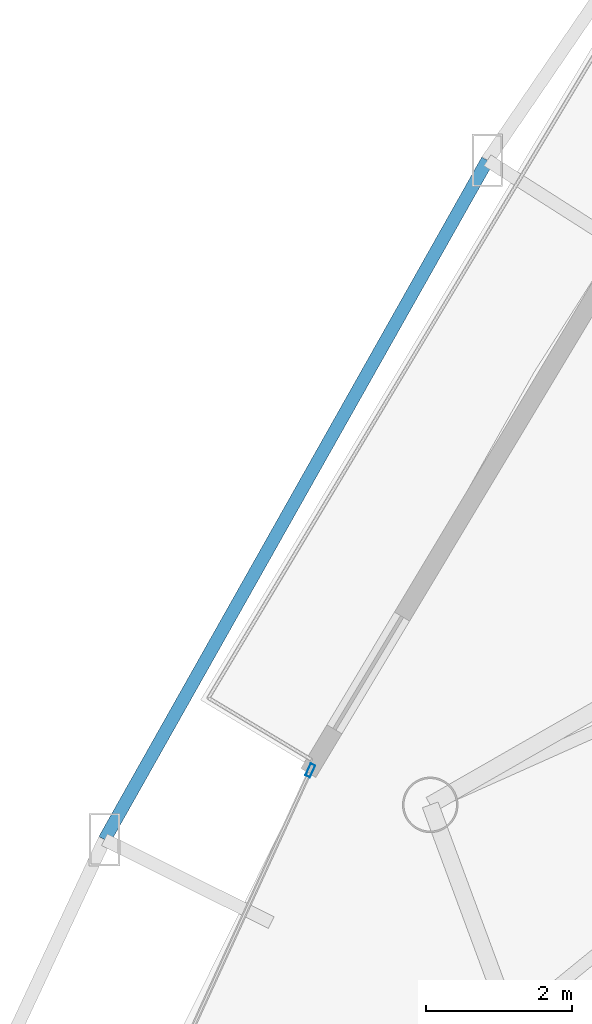
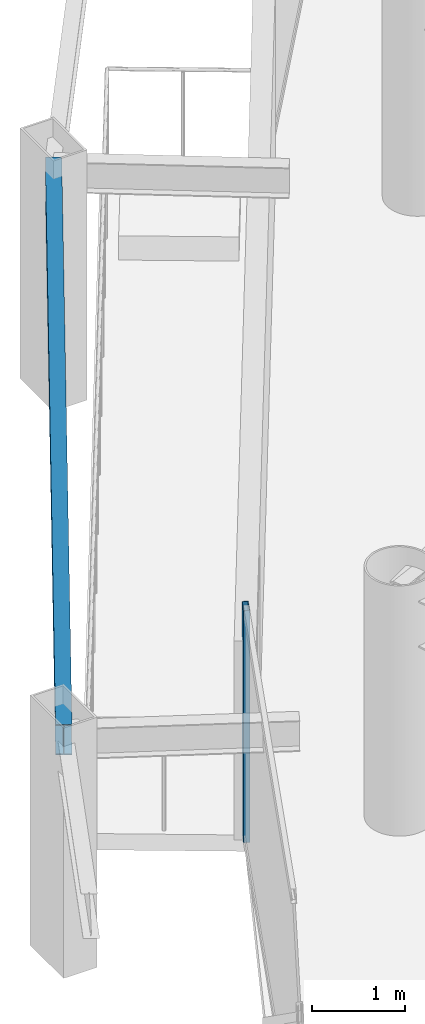
# One storey, part 10 of 34: 1 beam, 1 member, 1 element without a shape of its own.
"""IFC4 building model written with IfcOpenShell, lengths in metres."""

from ifc_helpers import new_model, si_unit, direction, frame, origin, origin_2d, place, context, subcontext, project, spatial, hollow_rectangle, i_section, extrude, material, layer, layer_set, material_profile, profile_set, type_object, element, aggregate, save


model = new_model("IFC4")

# Units and contexts
model_context = context("Model", 3, precision=1e-05, world=origin(), true_north=direction((0.0, 1.0)))
body_context = subcontext(model_context, "Body", "Model", "MODEL_VIEW")
ifc_project = project(units=[si_unit("LENGTHUNIT", "METRE"), si_unit("AREAUNIT", "SQUARE_METRE"), si_unit("VOLUMEUNIT", "CUBIC_METRE"), si_unit("PLANEANGLEUNIT", "RADIAN"), si_unit("MASSUNIT", "GRAM", prefix="KILO")], contexts=[model_context])

# Site, building, storey
site_placement = place(None, origin())
site = spatial("IfcSite", under=ifc_project, at=site_placement, CompositionType="ELEMENT")
building_placement = place(site_placement, origin())
building = spatial("IfcBuilding", under=site, at=building_placement, Name="Orvanel Arch Residences", CompositionType="ELEMENT")
storey_placement = place(building_placement, frame((0.0, 0.0, 64.25)))
storey = spatial("IfcBuildingStorey", under=building, at=storey_placement, Name="L17", CompositionType="ELEMENT", Elevation=64.25)

# Curtain wall, member
ifc_material_1 = material(Name="Bronze-anodised aluminium AA6063-T6", Category="aluminium")
ifc_layer = layer(ifc_material_1, 0.179931640625)
ifc_layer_set = layer_set([ifc_layer], Name="Bronze-anodised aluminium AA6063-T6")
curtain_wall_type = type_object("IfcCurtainWallType", Name="CW2-LOW-SYS", PredefinedType="NOTDEFINED", material=ifc_layer_set)
curtain_wall_placement = place(storey_placement, origin())
curtain_wall = element("IfcCurtainWall", 1, at=curtain_wall_placement, inside=storey, type_object=curtain_wall_type, Name="L17 CW2-LOW-SYS Unitised Curtain Wall", PredefinedType="NOTDEFINED")
ifc_material_profile_1 = material_profile(ifc_material_1, hollow_rectangle(XDim=0.070068359375, YDim=0.179931640625, WallThickness=0.00439453125, at=origin_2d()), Name="ALU180x70x4.5")
ifc_profile_set_1 = profile_set([ifc_material_profile_1], Name="Bronze-anodised aluminium AA6063-T6")
member_type = type_object("IfcMemberType", Name="MUL-180x70", PredefinedType="MULLION", material=ifc_profile_set_1)
member_placement = place(storey_placement, frame((13.0185546875, 24.72705078125, 0.0), z_axis=(0.0, 0.0, 1.0), x_axis=(0.909506848006, -0.415688938305, 0.0)))
member = element("IfcMember", 2, at=member_placement, type_object=member_type, Name="CW-S2 mullion 1", PredefinedType="MULLION", context=body_context, shape_type="SweptSolid", body=[
    extrude(hollow_rectangle(XDim=0.070068359375, YDim=0.179931640625, WallThickness=0.00439453125, at=origin_2d()), origin(), (0.0, 0.0, 1.0), 3.06005859375),
])
aggregate(curtain_wall, [member])

# Beam
ifc_material_2 = material(Name="Structural steel AS/NZS 3679.1 Grade 300 (300 MPa)", Category="steel")
ifc_material_profile_2 = material_profile(ifc_material_2, i_section(OverallWidth=0.177978515625, OverallDepth=0.406005859375, WebThickness=0.0078125, FlangeThickness=0.0126953125, at=origin_2d()), Name="410UB59.7")
ifc_profile_set_2 = profile_set([ifc_material_profile_2], Name="Structural steel AS/NZS 3679.1 Grade 300 (300 MPa)")
beam_type = type_object("IfcBeamType", Name="OB-410UB-EXT", PredefinedType="SPANDREL", material=ifc_profile_set_2)
beam_placement = place(storey_placement, frame((15.445068359375, 33.0869140625, 2.85693359375), z_axis=(-0.491002028117, -0.871158428981, 0.0), x_axis=(0.871158428981, -0.491002028117, 0.0)))
element("IfcBeam", 3, at=beam_placement, inside=storey, type_object=beam_type, Name="L17 Outer Perimeter Floor Ring Beam 02", PredefinedType="SPANDREL", context=body_context, shape_type="SweptSolid", body=[
    extrude(i_section(OverallWidth=0.177978515625, OverallDepth=0.406005859375, WebThickness=0.0078125, FlangeThickness=0.0126953125, at=origin_2d()), origin(), (0.0, 0.0, 1.0), 10.6845703125),
])

save(model, "model.ifc")
